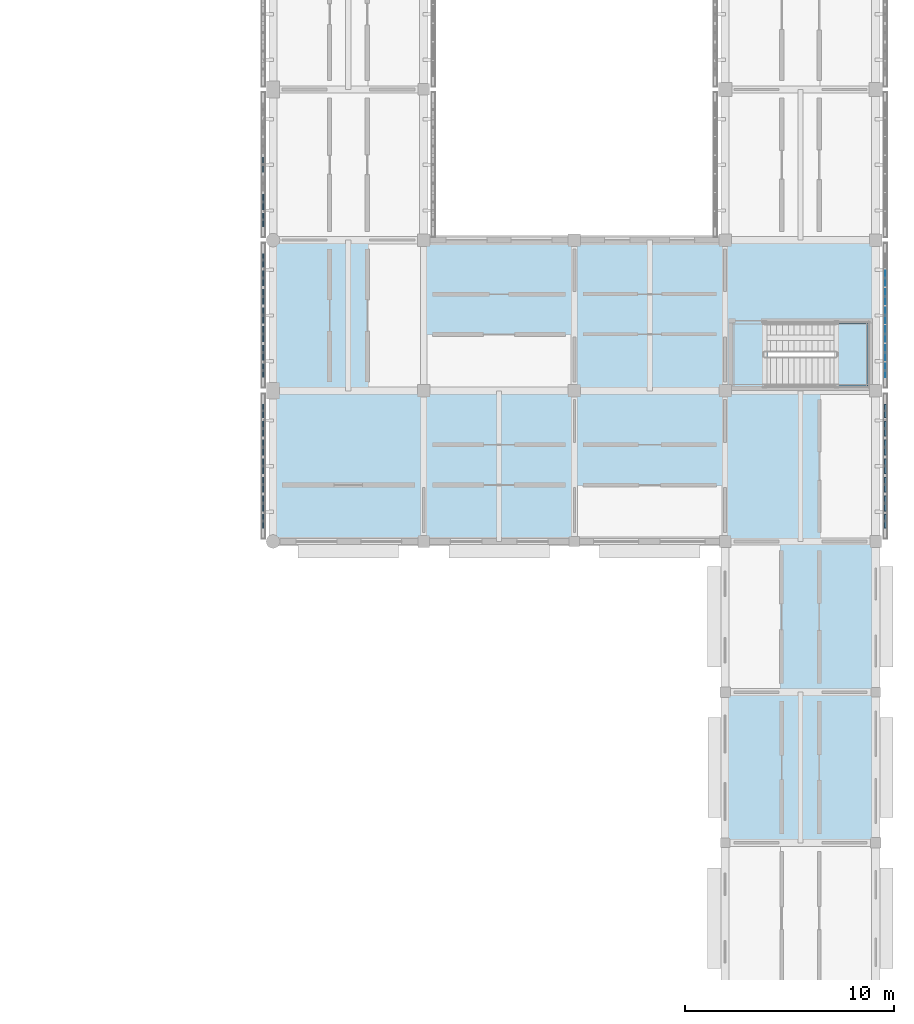
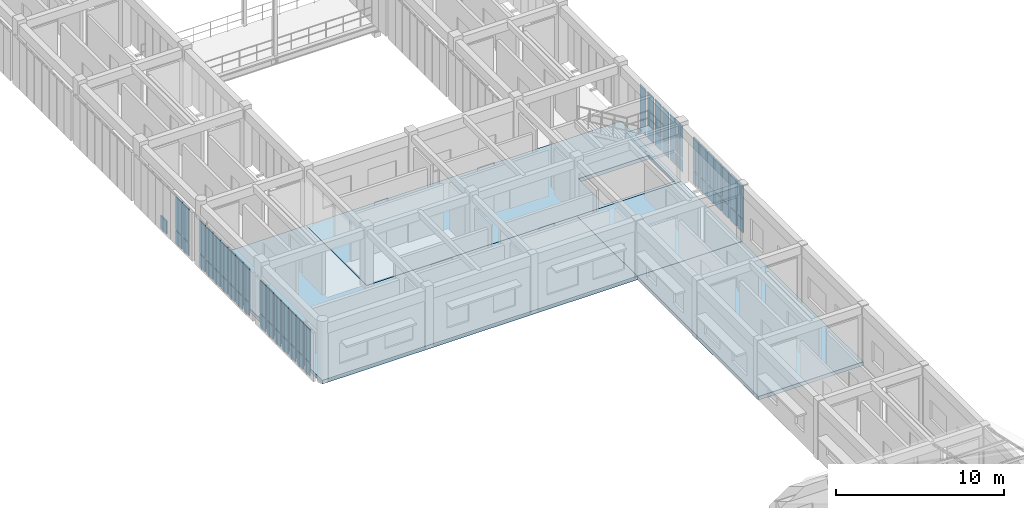
# One storey, part 107 of 171: 59 plates, 5 slabs, 6 elements without a shape of their own.
"""IFC4 building model written with IfcOpenShell, lengths in metres."""

from ifc_helpers import new_model, si_unit, direction, frame, origin, origin_2d, place, context, subcontext, project, spatial, polyline, rectangle, outline, extrude, material, layer, layer_set, type_object, element, aggregate, save


model = new_model("IFC4")

# Units and contexts
model_context = context("Model", 3, precision=1e-05, world=origin(), true_north=direction((0.0, 1.0)))
body_context = subcontext(model_context, "Body", "Model", "MODEL_VIEW")
ifc_project = project(units=[si_unit("LENGTHUNIT", "METRE"), si_unit("AREAUNIT", "SQUARE_METRE"), si_unit("VOLUMEUNIT", "CUBIC_METRE"), si_unit("PLANEANGLEUNIT", "RADIAN"), si_unit("MASSUNIT", "GRAM", prefix="KILO")], contexts=[model_context])

# Site, building, storey
site_placement = place(None, origin())
site = spatial("IfcSite", under=ifc_project, at=site_placement, CompositionType="ELEMENT")
building_placement = place(site_placement, origin())
building = spatial("IfcBuilding", under=site, at=building_placement, Name="Aldebral Square Health Centre", CompositionType="ELEMENT")
storey_placement = place(building_placement, frame((0.0, 0.0, 4.5)))
storey = spatial("IfcBuildingStorey", under=building, at=storey_placement, Name="L01", CompositionType="ELEMENT", Elevation=4.5)

# Curtain wall, plates
ifc_material_1 = material(Name="Aluminium and low-E solar glass", Category="aluminium")
curtain_wall_type = type_object("IfcCurtainWallType", Name="CW-FIN-SYS", PredefinedType="USERDEFINED", material=ifc_material_1)
curtain_wall_1_placement = place(storey_placement, origin())
curtain_wall_1 = element("IfcCurtainWall", 1, at=curtain_wall_1_placement, inside=storey, type_object=curtain_wall_type, Name="L01 V5 finned curtain wall L01-V5-22-08-E", ObjectType="SOLAR_CURTAIN_WALL", PredefinedType="USERDEFINED")
ifc_material_2 = material(Name="Solar-control low-E double glass", Category="glass")
ifc_layer_1 = layer(ifc_material_2, 0.02001953125, Name="Solar-control low-E double glass", Category="glass")
ifc_layer_set_1 = layer_set([ifc_layer_1], Name="Solar-control low-E double glass")
plate_type_1 = type_object("IfcPlateType", Name="CWP-GLZ-1", PredefinedType="CURTAIN_PANEL", material=ifc_layer_set_1)
plate_1_placement = place(storey_placement, frame((166.06005859375, 58.565673828125, 0.074951171875), z_axis=(0.0, 0.0, 1.0), x_axis=(0.0, 1.0, 0.0)))
plate_1 = element("IfcPlate", 2, at=plate_1_placement, type_object=plate_type_1, Name="CW1 panel 1.1", PredefinedType="CURTAIN_PANEL", context=body_context, shape_type="SweptSolid", body=[
    extrude(rectangle(XDim=0.6513671875, YDim=0.02001953125, at=origin_2d()), origin(), (0.0, 0.0, 1.0), 0.9375),
])
plate_2_placement = place(storey_placement, frame((166.06005859375, 58.565673828125, 1.087646484375), z_axis=(0.0, 0.0, 1.0), x_axis=(0.0, 1.0, 0.0)))
plate_2 = element("IfcPlate", 3, at=plate_2_placement, type_object=plate_type_1, Name="CW1 panel 1.2", PredefinedType="CURTAIN_PANEL", context=body_context, shape_type="SweptSolid", body=[
    extrude(rectangle(XDim=0.6513671875, YDim=0.02001953125, at=origin_2d()), origin(), (0.0, 0.0, 1.0), 2.357421875),
])
plate_3_placement = place(storey_placement, frame((166.06005859375, 59.417236328125, 0.074951171875), z_axis=(0.0, 0.0, 1.0), x_axis=(0.0, 1.0, 0.0)))
plate_3 = element("IfcPlate", 4, at=plate_3_placement, type_object=plate_type_1, Name="CW1 panel 2.1", PredefinedType="CURTAIN_PANEL", context=body_context, shape_type="SweptSolid", body=[
    extrude(rectangle(XDim=0.7314453125, YDim=0.02001953125, at=origin_2d()), origin(), (0.0, 0.0, 1.0), 0.9375),
])
plate_4_placement = place(storey_placement, frame((166.06005859375, 59.417236328125, 1.087646484375), z_axis=(0.0, 0.0, 1.0), x_axis=(0.0, 1.0, 0.0)))
plate_4 = element("IfcPlate", 5, at=plate_4_placement, type_object=plate_type_1, Name="CW1 panel 2.2", PredefinedType="CURTAIN_PANEL", context=body_context, shape_type="SweptSolid", body=[
    extrude(rectangle(XDim=0.7314453125, YDim=0.02001953125, at=origin_2d()), origin(), (0.0, 0.0, 1.0), 2.357421875),
])
plate_5_placement = place(storey_placement, frame((166.06005859375, 60.30859375, 0.074951171875), z_axis=(0.0, 0.0, 1.0), x_axis=(0.0, 1.0, 0.0)))
plate_5 = element("IfcPlate", 6, at=plate_5_placement, type_object=plate_type_1, Name="CW1 panel 3.1", PredefinedType="CURTAIN_PANEL", context=body_context, shape_type="SweptSolid", body=[
    extrude(rectangle(XDim=0.7314453125, YDim=0.02001953125, at=origin_2d()), origin(), (0.0, 0.0, 1.0), 0.9375),
])
plate_6_placement = place(storey_placement, frame((166.06005859375, 60.30859375, 1.087646484375), z_axis=(0.0, 0.0, 1.0), x_axis=(0.0, 1.0, 0.0)))
plate_6 = element("IfcPlate", 7, at=plate_6_placement, type_object=plate_type_1, Name="CW1 panel 3.2", PredefinedType="CURTAIN_PANEL", context=body_context, shape_type="SweptSolid", body=[
    extrude(rectangle(XDim=0.7314453125, YDim=0.02001953125, at=origin_2d()), origin(), (0.0, 0.0, 1.0), 2.357421875),
])
plate_7_placement = place(storey_placement, frame((166.06005859375, 61.199951171875, 0.074951171875), z_axis=(0.0, 0.0, 1.0), x_axis=(0.0, 1.0, 0.0)))
plate_7 = element("IfcPlate", 8, at=plate_7_placement, type_object=plate_type_1, Name="CW1 panel 4.1", PredefinedType="CURTAIN_PANEL", context=body_context, shape_type="SweptSolid", body=[
    extrude(rectangle(XDim=0.7314453125, YDim=0.02001953125, at=origin_2d()), origin(), (0.0, 0.0, 1.0), 0.9375),
])
plate_8_placement = place(storey_placement, frame((166.06005859375, 61.199951171875, 1.087646484375), z_axis=(0.0, 0.0, 1.0), x_axis=(0.0, 1.0, 0.0)))
plate_8 = element("IfcPlate", 9, at=plate_8_placement, type_object=plate_type_1, Name="CW1 panel 4.2", PredefinedType="CURTAIN_PANEL", context=body_context, shape_type="SweptSolid", body=[
    extrude(rectangle(XDim=0.7314453125, YDim=0.02001953125, at=origin_2d()), origin(), (0.0, 0.0, 1.0), 2.357421875),
])
plate_9_placement = place(storey_placement, frame((166.06005859375, 62.09130859375, 0.074951171875), z_axis=(0.0, 0.0, 1.0), x_axis=(0.0, 1.0, 0.0)))
plate_9 = element("IfcPlate", 10, at=plate_9_placement, type_object=plate_type_1, Name="CW1 panel 5.1", PredefinedType="CURTAIN_PANEL", context=body_context, shape_type="SweptSolid", body=[
    extrude(rectangle(XDim=0.7314453125, YDim=0.02001953125, at=origin_2d()), origin(), (0.0, 0.0, 1.0), 0.9375),
])
plate_10_placement = place(storey_placement, frame((166.06005859375, 62.09130859375, 1.087646484375), z_axis=(0.0, 0.0, 1.0), x_axis=(0.0, 1.0, 0.0)))
plate_10 = element("IfcPlate", 11, at=plate_10_placement, type_object=plate_type_1, Name="CW1 panel 5.2", PredefinedType="CURTAIN_PANEL", context=body_context, shape_type="SweptSolid", body=[
    extrude(rectangle(XDim=0.7314453125, YDim=0.02001953125, at=origin_2d()), origin(), (0.0, 0.0, 1.0), 2.357421875),
])
plate_11_placement = place(storey_placement, frame((166.06005859375, 62.98291015625, 0.074951171875), z_axis=(0.0, 0.0, 1.0), x_axis=(0.0, 1.0, 0.0)))
plate_11 = element("IfcPlate", 12, at=plate_11_placement, type_object=plate_type_1, Name="CW1 panel 6.1", PredefinedType="CURTAIN_PANEL", context=body_context, shape_type="SweptSolid", body=[
    extrude(rectangle(XDim=0.7314453125, YDim=0.02001953125, at=origin_2d()), origin(), (0.0, 0.0, 1.0), 0.9375),
])
plate_12_placement = place(storey_placement, frame((166.06005859375, 62.98291015625, 1.087646484375), z_axis=(0.0, 0.0, 1.0), x_axis=(0.0, 1.0, 0.0)))
plate_12 = element("IfcPlate", 13, at=plate_12_placement, type_object=plate_type_1, Name="CW1 panel 6.2", PredefinedType="CURTAIN_PANEL", context=body_context, shape_type="SweptSolid", body=[
    extrude(rectangle(XDim=0.7314453125, YDim=0.02001953125, at=origin_2d()), origin(), (0.0, 0.0, 1.0), 2.357421875),
])
aggregate(curtain_wall_1, [plate_1, plate_2, plate_3, plate_4, plate_5, plate_6, plate_7, plate_8, plate_9, plate_10, plate_11, plate_12])

curtain_wall_2_placement = place(storey_placement, origin())
curtain_wall_2 = element("IfcCurtainWall", 14, at=curtain_wall_2_placement, inside=storey, type_object=curtain_wall_type, Name="L01 V5 finned curtain wall L01-V5-19-07-W", ObjectType="SOLAR_CURTAIN_WALL", PredefinedType="USERDEFINED")
ifc_layer_2 = layer(ifc_material_2, 0.050048828125, Name="Solar-control low-E double glass", Category="glass")
ifc_layer_set_2 = layer_set([ifc_layer_2], Name="Solar-control low-E double glass")
plate_type_2 = type_object("IfcPlateType", Name="CWP-GLZ-4", PredefinedType="CURTAIN_PANEL", material=ifc_layer_set_2)
plate_13_placement = place(storey_placement, frame((136.340087890625, 56.63427734375, 0.074951171875), z_axis=(0.0, 0.0, 1.0), x_axis=(0.0, -1.0, 0.0)))
plate_13 = element("IfcPlate", 15, at=plate_13_placement, type_object=plate_type_2, Name="CW1 panel 1.1", PredefinedType="CURTAIN_PANEL", context=body_context, shape_type="SweptSolid", body=[
    extrude(rectangle(XDim=0.6513671875, YDim=0.050048828125, at=origin_2d()), origin(), (0.0, 0.0, 1.0), 0.9375),
])
plate_14_placement = place(storey_placement, frame((136.340087890625, 56.63427734375, 1.087646484375), z_axis=(0.0, 0.0, 1.0), x_axis=(0.0, -1.0, 0.0)))
plate_14 = element("IfcPlate", 16, at=plate_14_placement, type_object=plate_type_2, Name="CW1 panel 1.2", PredefinedType="CURTAIN_PANEL", context=body_context, shape_type="SweptSolid", body=[
    extrude(rectangle(XDim=0.6513671875, YDim=0.050048828125, at=origin_2d()), origin(), (0.0, 0.0, 1.0), 2.357421875),
])
plate_15_placement = place(storey_placement, frame((136.340087890625, 55.782958984375, 0.074951171875), z_axis=(0.0, 0.0, 1.0), x_axis=(0.0, -1.0, 0.0)))
plate_15 = element("IfcPlate", 17, at=plate_15_placement, type_object=plate_type_2, Name="CW1 panel 2.1", PredefinedType="CURTAIN_PANEL", context=body_context, shape_type="SweptSolid", body=[
    extrude(rectangle(XDim=0.7314453125, YDim=0.050048828125, at=origin_2d()), origin(), (0.0, 0.0, 1.0), 0.9375),
])
plate_16_placement = place(storey_placement, frame((136.340087890625, 55.782958984375, 1.087646484375), z_axis=(0.0, 0.0, 1.0), x_axis=(0.0, -1.0, 0.0)))
plate_16 = element("IfcPlate", 18, at=plate_16_placement, type_object=plate_type_2, Name="CW1 panel 2.2", PredefinedType="CURTAIN_PANEL", context=body_context, shape_type="SweptSolid", body=[
    extrude(rectangle(XDim=0.7314453125, YDim=0.050048828125, at=origin_2d()), origin(), (0.0, 0.0, 1.0), 2.357421875),
])
plate_17_placement = place(storey_placement, frame((136.340087890625, 54.891357421875, 0.074951171875), z_axis=(0.0, 0.0, 1.0), x_axis=(0.0, -1.0, 0.0)))
plate_17 = element("IfcPlate", 19, at=plate_17_placement, type_object=plate_type_2, Name="CW1 panel 3.1", PredefinedType="CURTAIN_PANEL", context=body_context, shape_type="SweptSolid", body=[
    extrude(rectangle(XDim=0.7314453125, YDim=0.050048828125, at=origin_2d()), origin(), (0.0, 0.0, 1.0), 0.9375),
])
plate_18_placement = place(storey_placement, frame((136.340087890625, 54.891357421875, 1.087646484375), z_axis=(0.0, 0.0, 1.0), x_axis=(0.0, -1.0, 0.0)))
plate_18 = element("IfcPlate", 20, at=plate_18_placement, type_object=plate_type_2, Name="CW1 panel 3.2", PredefinedType="CURTAIN_PANEL", context=body_context, shape_type="SweptSolid", body=[
    extrude(rectangle(XDim=0.7314453125, YDim=0.050048828125, at=origin_2d()), origin(), (0.0, 0.0, 1.0), 2.357421875),
])
plate_19_placement = place(storey_placement, frame((136.340087890625, 54.0, 0.074951171875), z_axis=(0.0, 0.0, 1.0), x_axis=(0.0, -1.0, 0.0)))
plate_19 = element("IfcPlate", 21, at=plate_19_placement, type_object=plate_type_2, Name="CW1 panel 4.1", PredefinedType="CURTAIN_PANEL", context=body_context, shape_type="SweptSolid", body=[
    extrude(rectangle(XDim=0.7314453125, YDim=0.050048828125, at=origin_2d()), origin(), (0.0, 0.0, 1.0), 0.9375),
])
plate_20_placement = place(storey_placement, frame((136.340087890625, 54.0, 1.087646484375), z_axis=(0.0, 0.0, 1.0), x_axis=(0.0, -1.0, 0.0)))
plate_20 = element("IfcPlate", 22, at=plate_20_placement, type_object=plate_type_2, Name="CW1 panel 4.2", PredefinedType="CURTAIN_PANEL", context=body_context, shape_type="SweptSolid", body=[
    extrude(rectangle(XDim=0.7314453125, YDim=0.050048828125, at=origin_2d()), origin(), (0.0, 0.0, 1.0), 2.357421875),
])
plate_21_placement = place(storey_placement, frame((136.340087890625, 53.108642578125, 0.074951171875), z_axis=(0.0, 0.0, 1.0), x_axis=(0.0, -1.0, 0.0)))
plate_21 = element("IfcPlate", 23, at=plate_21_placement, type_object=plate_type_2, Name="CW1 panel 5.1", PredefinedType="CURTAIN_PANEL", context=body_context, shape_type="SweptSolid", body=[
    extrude(rectangle(XDim=0.7314453125, YDim=0.050048828125, at=origin_2d()), origin(), (0.0, 0.0, 1.0), 0.9375),
])
plate_22_placement = place(storey_placement, frame((136.340087890625, 53.108642578125, 1.087646484375), z_axis=(0.0, 0.0, 1.0), x_axis=(0.0, -1.0, 0.0)))
plate_22 = element("IfcPlate", 24, at=plate_22_placement, type_object=plate_type_2, Name="CW1 panel 5.2", PredefinedType="CURTAIN_PANEL", context=body_context, shape_type="SweptSolid", body=[
    extrude(rectangle(XDim=0.7314453125, YDim=0.050048828125, at=origin_2d()), origin(), (0.0, 0.0, 1.0), 2.357421875),
])
plate_23_placement = place(storey_placement, frame((136.340087890625, 52.217041015625, 0.074951171875), z_axis=(0.0, 0.0, 1.0), x_axis=(0.0, -1.0, 0.0)))
plate_23 = element("IfcPlate", 25, at=plate_23_placement, type_object=plate_type_2, Name="CW1 panel 6.1", PredefinedType="CURTAIN_PANEL", context=body_context, shape_type="SweptSolid", body=[
    extrude(rectangle(XDim=0.7314453125, YDim=0.050048828125, at=origin_2d()), origin(), (0.0, 0.0, 1.0), 0.9375),
])
plate_24_placement = place(storey_placement, frame((136.340087890625, 52.217041015625, 1.087646484375), z_axis=(0.0, 0.0, 1.0), x_axis=(0.0, -1.0, 0.0)))
plate_24 = element("IfcPlate", 26, at=plate_24_placement, type_object=plate_type_2, Name="CW1 panel 6.2", PredefinedType="CURTAIN_PANEL", context=body_context, shape_type="SweptSolid", body=[
    extrude(rectangle(XDim=0.7314453125, YDim=0.050048828125, at=origin_2d()), origin(), (0.0, 0.0, 1.0), 2.357421875),
])
plate_25_placement = place(storey_placement, frame((136.340087890625, 51.36572265625, 0.074951171875), z_axis=(0.0, 0.0, 1.0), x_axis=(0.0, -1.0, 0.0)))
plate_25 = element("IfcPlate", 27, at=plate_25_placement, type_object=plate_type_2, Name="CW1 panel 7.1", PredefinedType="CURTAIN_PANEL", context=body_context, shape_type="SweptSolid", body=[
    extrude(rectangle(XDim=0.6513671875, YDim=0.050048828125, at=origin_2d()), origin(), (0.0, 0.0, 1.0), 0.9375),
])
plate_26_placement = place(storey_placement, frame((136.340087890625, 51.36572265625, 1.087646484375), z_axis=(0.0, 0.0, 1.0), x_axis=(0.0, -1.0, 0.0)))
plate_26 = element("IfcPlate", 28, at=plate_26_placement, type_object=plate_type_2, Name="CW1 panel 7.2", PredefinedType="CURTAIN_PANEL", context=body_context, shape_type="SweptSolid", body=[
    extrude(rectangle(XDim=0.6513671875, YDim=0.050048828125, at=origin_2d()), origin(), (0.0, 0.0, 1.0), 2.357421875),
])
aggregate(curtain_wall_2, [plate_13, plate_14, plate_15, plate_16, plate_17, plate_18, plate_19, plate_20, plate_21, plate_22, plate_23, plate_24, plate_25, plate_26])

curtain_wall_3_placement = place(storey_placement, origin())
curtain_wall_3 = element("IfcCurtainWall", 29, at=curtain_wall_3_placement, inside=storey, type_object=curtain_wall_type, Name="L01 V5 finned curtain wall L01-V5-19-08-W", ObjectType="SOLAR_CURTAIN_WALL", PredefinedType="USERDEFINED")
ifc_layer_3 = layer(ifc_material_2, 0.06005859375, Name="Solar-control low-E double glass", Category="glass")
ifc_layer_set_3 = layer_set([ifc_layer_3], Name="Solar-control low-E double glass")
plate_type_3 = type_object("IfcPlateType", Name="CWP-GLZ-5", PredefinedType="CURTAIN_PANEL", material=ifc_layer_set_3)
plate_27_placement = place(storey_placement, frame((136.340087890625, 63.834228515625, 0.074951171875), z_axis=(0.0, 0.0, 1.0), x_axis=(0.0, -1.0, 0.0)))
plate_27 = element("IfcPlate", 30, at=plate_27_placement, type_object=plate_type_3, Name="CW1 panel 1.1", PredefinedType="CURTAIN_PANEL", context=body_context, shape_type="SweptSolid", body=[
    extrude(rectangle(XDim=0.6513671875, YDim=0.06005859375, at=origin_2d()), origin(), (0.0, 0.0, 1.0), 0.9375),
])
plate_28_placement = place(storey_placement, frame((136.340087890625, 63.834228515625, 1.087646484375), z_axis=(0.0, 0.0, 1.0), x_axis=(0.0, -1.0, 0.0)))
plate_28 = element("IfcPlate", 31, at=plate_28_placement, type_object=plate_type_3, Name="CW1 panel 1.2", PredefinedType="CURTAIN_PANEL", context=body_context, shape_type="SweptSolid", body=[
    extrude(rectangle(XDim=0.6513671875, YDim=0.06005859375, at=origin_2d()), origin(), (0.0, 0.0, 1.0), 2.357421875),
])
plate_29_placement = place(storey_placement, frame((136.340087890625, 62.98291015625, 0.074951171875), z_axis=(0.0, 0.0, 1.0), x_axis=(0.0, -1.0, 0.0)))
plate_29 = element("IfcPlate", 32, at=plate_29_placement, type_object=plate_type_3, Name="CW1 panel 2.1", PredefinedType="CURTAIN_PANEL", context=body_context, shape_type="SweptSolid", body=[
    extrude(rectangle(XDim=0.7314453125, YDim=0.06005859375, at=origin_2d()), origin(), (0.0, 0.0, 1.0), 0.9375),
])
plate_30_placement = place(storey_placement, frame((136.340087890625, 62.98291015625, 1.087646484375), z_axis=(0.0, 0.0, 1.0), x_axis=(0.0, -1.0, 0.0)))
plate_30 = element("IfcPlate", 33, at=plate_30_placement, type_object=plate_type_3, Name="CW1 panel 2.2", PredefinedType="CURTAIN_PANEL", context=body_context, shape_type="SweptSolid", body=[
    extrude(rectangle(XDim=0.7314453125, YDim=0.06005859375, at=origin_2d()), origin(), (0.0, 0.0, 1.0), 2.357421875),
])
plate_31_placement = place(storey_placement, frame((136.340087890625, 62.09130859375, 0.074951171875), z_axis=(0.0, 0.0, 1.0), x_axis=(0.0, -1.0, 0.0)))
plate_31 = element("IfcPlate", 34, at=plate_31_placement, type_object=plate_type_3, Name="CW1 panel 3.1", PredefinedType="CURTAIN_PANEL", context=body_context, shape_type="SweptSolid", body=[
    extrude(rectangle(XDim=0.7314453125, YDim=0.06005859375, at=origin_2d()), origin(), (0.0, 0.0, 1.0), 0.9375),
])
plate_32_placement = place(storey_placement, frame((136.340087890625, 62.09130859375, 1.087646484375), z_axis=(0.0, 0.0, 1.0), x_axis=(0.0, -1.0, 0.0)))
plate_32 = element("IfcPlate", 35, at=plate_32_placement, type_object=plate_type_3, Name="CW1 panel 3.2", PredefinedType="CURTAIN_PANEL", context=body_context, shape_type="SweptSolid", body=[
    extrude(rectangle(XDim=0.7314453125, YDim=0.06005859375, at=origin_2d()), origin(), (0.0, 0.0, 1.0), 2.357421875),
])
plate_33_placement = place(storey_placement, frame((136.340087890625, 61.199951171875, 0.074951171875), z_axis=(0.0, 0.0, 1.0), x_axis=(0.0, -1.0, 0.0)))
plate_33 = element("IfcPlate", 36, at=plate_33_placement, type_object=plate_type_3, Name="CW1 panel 4.1", PredefinedType="CURTAIN_PANEL", context=body_context, shape_type="SweptSolid", body=[
    extrude(rectangle(XDim=0.7314453125, YDim=0.06005859375, at=origin_2d()), origin(), (0.0, 0.0, 1.0), 0.9375),
])
plate_34_placement = place(storey_placement, frame((136.340087890625, 61.199951171875, 1.087646484375), z_axis=(0.0, 0.0, 1.0), x_axis=(0.0, -1.0, 0.0)))
plate_34 = element("IfcPlate", 37, at=plate_34_placement, type_object=plate_type_3, Name="CW1 panel 4.2", PredefinedType="CURTAIN_PANEL", context=body_context, shape_type="SweptSolid", body=[
    extrude(rectangle(XDim=0.7314453125, YDim=0.06005859375, at=origin_2d()), origin(), (0.0, 0.0, 1.0), 2.357421875),
])
plate_35_placement = place(storey_placement, frame((136.340087890625, 60.30859375, 0.074951171875), z_axis=(0.0, 0.0, 1.0), x_axis=(0.0, -1.0, 0.0)))
plate_35 = element("IfcPlate", 38, at=plate_35_placement, type_object=plate_type_3, Name="CW1 panel 5.1", PredefinedType="CURTAIN_PANEL", context=body_context, shape_type="SweptSolid", body=[
    extrude(rectangle(XDim=0.7314453125, YDim=0.06005859375, at=origin_2d()), origin(), (0.0, 0.0, 1.0), 0.9375),
])
plate_36_placement = place(storey_placement, frame((136.340087890625, 60.30859375, 1.087646484375), z_axis=(0.0, 0.0, 1.0), x_axis=(0.0, -1.0, 0.0)))
plate_36 = element("IfcPlate", 39, at=plate_36_placement, type_object=plate_type_3, Name="CW1 panel 5.2", PredefinedType="CURTAIN_PANEL", context=body_context, shape_type="SweptSolid", body=[
    extrude(rectangle(XDim=0.7314453125, YDim=0.06005859375, at=origin_2d()), origin(), (0.0, 0.0, 1.0), 2.357421875),
])
plate_37_placement = place(storey_placement, frame((136.340087890625, 59.417236328125, 0.074951171875), z_axis=(0.0, 0.0, 1.0), x_axis=(0.0, -1.0, 0.0)))
plate_37 = element("IfcPlate", 40, at=plate_37_placement, type_object=plate_type_3, Name="CW1 panel 6.1", PredefinedType="CURTAIN_PANEL", context=body_context, shape_type="SweptSolid", body=[
    extrude(rectangle(XDim=0.7314453125, YDim=0.06005859375, at=origin_2d()), origin(), (0.0, 0.0, 1.0), 0.9375),
])
plate_38_placement = place(storey_placement, frame((136.340087890625, 59.417236328125, 1.087646484375), z_axis=(0.0, 0.0, 1.0), x_axis=(0.0, -1.0, 0.0)))
plate_38 = element("IfcPlate", 41, at=plate_38_placement, type_object=plate_type_3, Name="CW1 panel 6.2", PredefinedType="CURTAIN_PANEL", context=body_context, shape_type="SweptSolid", body=[
    extrude(rectangle(XDim=0.7314453125, YDim=0.06005859375, at=origin_2d()), origin(), (0.0, 0.0, 1.0), 2.357421875),
])
plate_39_placement = place(storey_placement, frame((136.340087890625, 58.565673828125, 0.074951171875), z_axis=(0.0, 0.0, 1.0), x_axis=(0.0, -1.0, 0.0)))
plate_39 = element("IfcPlate", 42, at=plate_39_placement, type_object=plate_type_3, Name="CW1 panel 7.1", PredefinedType="CURTAIN_PANEL", context=body_context, shape_type="SweptSolid", body=[
    extrude(rectangle(XDim=0.6513671875, YDim=0.06005859375, at=origin_2d()), origin(), (0.0, 0.0, 1.0), 0.9375),
])
plate_40_placement = place(storey_placement, frame((136.340087890625, 58.565673828125, 1.087646484375), z_axis=(0.0, 0.0, 1.0), x_axis=(0.0, -1.0, 0.0)))
plate_40 = element("IfcPlate", 43, at=plate_40_placement, type_object=plate_type_3, Name="CW1 panel 7.2", PredefinedType="CURTAIN_PANEL", context=body_context, shape_type="SweptSolid", body=[
    extrude(rectangle(XDim=0.6513671875, YDim=0.06005859375, at=origin_2d()), origin(), (0.0, 0.0, 1.0), 2.357421875),
])
aggregate(curtain_wall_3, [plate_27, plate_28, plate_29, plate_30, plate_31, plate_32, plate_33, plate_34, plate_35, plate_36, plate_37, plate_38, plate_39, plate_40])

curtain_wall_4_placement = place(storey_placement, origin())
curtain_wall_4 = element("IfcCurtainWall", 44, at=curtain_wall_4_placement, inside=storey, type_object=curtain_wall_type, Name="L01 V5 finned curtain wall L01-V5-19-09-W", ObjectType="SOLAR_CURTAIN_WALL", PredefinedType="USERDEFINED")
ifc_layer_4 = layer(ifc_material_2, 0.070068359375, Name="Solar-control low-E double glass", Category="glass")
ifc_layer_set_4 = layer_set([ifc_layer_4], Name="Solar-control low-E double glass")
plate_type_4 = type_object("IfcPlateType", Name="CWP-GLZ-6", PredefinedType="CURTAIN_PANEL", material=ifc_layer_set_4)
plate_41_placement = place(storey_placement, frame((136.340087890625, 68.39990234375, 0.074951171875), z_axis=(0.0, 0.0, 1.0), x_axis=(0.0, -1.0, 0.0)))
plate_41 = element("IfcPlate", 45, at=plate_41_placement, type_object=plate_type_4, Name="CW1 panel 4.1", PredefinedType="CURTAIN_PANEL", context=body_context, shape_type="SweptSolid", body=[
    extrude(rectangle(XDim=0.7314453125, YDim=0.070068359375, at=origin_2d()), origin(), (0.0, 0.0, 1.0), 0.9375),
])
plate_42_placement = place(storey_placement, frame((136.340087890625, 66.6171875, 0.074951171875), z_axis=(0.0, 0.0, 1.0), x_axis=(0.0, -1.0, 0.0)))
plate_42 = element("IfcPlate", 46, at=plate_42_placement, type_object=plate_type_4, Name="CW1 panel 6.1", PredefinedType="CURTAIN_PANEL", context=body_context, shape_type="SweptSolid", body=[
    extrude(rectangle(XDim=0.7314453125, YDim=0.070068359375, at=origin_2d()), origin(), (0.0, 0.0, 1.0), 0.9375),
])
plate_43_placement = place(storey_placement, frame((136.340087890625, 66.6171875, 1.087646484375), z_axis=(0.0, 0.0, 1.0), x_axis=(0.0, -1.0, 0.0)))
plate_43 = element("IfcPlate", 47, at=plate_43_placement, type_object=plate_type_4, Name="CW1 panel 6.2", PredefinedType="CURTAIN_PANEL", context=body_context, shape_type="SweptSolid", body=[
    extrude(rectangle(XDim=0.7314453125, YDim=0.070068359375, at=origin_2d()), origin(), (0.0, 0.0, 1.0), 2.357421875),
])
plate_44_placement = place(storey_placement, frame((136.340087890625, 65.765625, 0.074951171875), z_axis=(0.0, 0.0, 1.0), x_axis=(0.0, -1.0, 0.0)))
plate_44 = element("IfcPlate", 48, at=plate_44_placement, type_object=plate_type_4, Name="CW1 panel 7.1", PredefinedType="CURTAIN_PANEL", context=body_context, shape_type="SweptSolid", body=[
    extrude(rectangle(XDim=0.6513671875, YDim=0.070068359375, at=origin_2d()), origin(), (0.0, 0.0, 1.0), 0.9375),
])
plate_45_placement = place(storey_placement, frame((136.340087890625, 65.765625, 1.087646484375), z_axis=(0.0, 0.0, 1.0), x_axis=(0.0, -1.0, 0.0)))
plate_45 = element("IfcPlate", 49, at=plate_45_placement, type_object=plate_type_4, Name="CW1 panel 7.2", PredefinedType="CURTAIN_PANEL", context=body_context, shape_type="SweptSolid", body=[
    extrude(rectangle(XDim=0.6513671875, YDim=0.070068359375, at=origin_2d()), origin(), (0.0, 0.0, 1.0), 2.357421875),
])
aggregate(curtain_wall_4, [plate_41, plate_42, plate_43, plate_44, plate_45])

curtain_wall_5_placement = place(storey_placement, origin())
curtain_wall_5 = element("IfcCurtainWall", 50, at=curtain_wall_5_placement, inside=storey, type_object=curtain_wall_type, Name="L01 V5 finned curtain wall L01-V5-22-07-E", ObjectType="SOLAR_CURTAIN_WALL", PredefinedType="USERDEFINED")
ifc_layer_5 = layer(ifc_material_2, 0.090087890625, Name="Solar-control low-E double glass", Category="glass")
ifc_layer_set_5 = layer_set([ifc_layer_5], Name="Solar-control low-E double glass")
plate_type_5 = type_object("IfcPlateType", Name="CWP-GLZ-8", PredefinedType="CURTAIN_PANEL", material=ifc_layer_set_5)
plate_46_placement = place(storey_placement, frame((166.06005859375, 51.36572265625, 0.074951171875), z_axis=(0.0, 0.0, 1.0), x_axis=(0.0, 1.0, 0.0)))
plate_46 = element("IfcPlate", 51, at=plate_46_placement, type_object=plate_type_5, Name="CW1 panel 1.1", PredefinedType="CURTAIN_PANEL", context=body_context, shape_type="SweptSolid", body=[
    extrude(rectangle(XDim=0.6513671875, YDim=0.090087890625, at=origin_2d()), origin(), (0.0, 0.0, 1.0), 0.9375),
])
plate_47_placement = place(storey_placement, frame((166.06005859375, 51.36572265625, 1.087646484375), z_axis=(0.0, 0.0, 1.0), x_axis=(0.0, 1.0, 0.0)))
plate_47 = element("IfcPlate", 52, at=plate_47_placement, type_object=plate_type_5, Name="CW1 panel 1.2", PredefinedType="CURTAIN_PANEL", context=body_context, shape_type="SweptSolid", body=[
    extrude(rectangle(XDim=0.6513671875, YDim=0.090087890625, at=origin_2d()), origin(), (0.0, 0.0, 1.0), 2.357421875),
])
plate_48_placement = place(storey_placement, frame((166.06005859375, 52.217041015625, 0.074951171875), z_axis=(0.0, 0.0, 1.0), x_axis=(0.0, 1.0, 0.0)))
plate_48 = element("IfcPlate", 53, at=plate_48_placement, type_object=plate_type_5, Name="CW1 panel 2.1", PredefinedType="CURTAIN_PANEL", context=body_context, shape_type="SweptSolid", body=[
    extrude(rectangle(XDim=0.7314453125, YDim=0.090087890625, at=origin_2d()), origin(), (0.0, 0.0, 1.0), 0.9375),
])
plate_49_placement = place(storey_placement, frame((166.06005859375, 52.217041015625, 1.087646484375), z_axis=(0.0, 0.0, 1.0), x_axis=(0.0, 1.0, 0.0)))
plate_49 = element("IfcPlate", 54, at=plate_49_placement, type_object=plate_type_5, Name="CW1 panel 2.2", PredefinedType="CURTAIN_PANEL", context=body_context, shape_type="SweptSolid", body=[
    extrude(rectangle(XDim=0.7314453125, YDim=0.090087890625, at=origin_2d()), origin(), (0.0, 0.0, 1.0), 2.357421875),
])
plate_50_placement = place(storey_placement, frame((166.06005859375, 53.108642578125, 0.074951171875), z_axis=(0.0, 0.0, 1.0), x_axis=(0.0, 1.0, 0.0)))
plate_50 = element("IfcPlate", 55, at=plate_50_placement, type_object=plate_type_5, Name="CW1 panel 3.1", PredefinedType="CURTAIN_PANEL", context=body_context, shape_type="SweptSolid", body=[
    extrude(rectangle(XDim=0.7314453125, YDim=0.090087890625, at=origin_2d()), origin(), (0.0, 0.0, 1.0), 0.9375),
])
plate_51_placement = place(storey_placement, frame((166.06005859375, 53.108642578125, 1.087646484375), z_axis=(0.0, 0.0, 1.0), x_axis=(0.0, 1.0, 0.0)))
plate_51 = element("IfcPlate", 56, at=plate_51_placement, type_object=plate_type_5, Name="CW1 panel 3.2", PredefinedType="CURTAIN_PANEL", context=body_context, shape_type="SweptSolid", body=[
    extrude(rectangle(XDim=0.7314453125, YDim=0.090087890625, at=origin_2d()), origin(), (0.0, 0.0, 1.0), 2.357421875),
])
plate_52_placement = place(storey_placement, frame((166.06005859375, 54.0, 0.074951171875), z_axis=(0.0, 0.0, 1.0), x_axis=(0.0, 1.0, 0.0)))
plate_52 = element("IfcPlate", 57, at=plate_52_placement, type_object=plate_type_5, Name="CW1 panel 4.1", PredefinedType="CURTAIN_PANEL", context=body_context, shape_type="SweptSolid", body=[
    extrude(rectangle(XDim=0.7314453125, YDim=0.090087890625, at=origin_2d()), origin(), (0.0, 0.0, 1.0), 0.9375),
])
plate_53_placement = place(storey_placement, frame((166.06005859375, 54.0, 1.087646484375), z_axis=(0.0, 0.0, 1.0), x_axis=(0.0, 1.0, 0.0)))
plate_53 = element("IfcPlate", 58, at=plate_53_placement, type_object=plate_type_5, Name="CW1 panel 4.2", PredefinedType="CURTAIN_PANEL", context=body_context, shape_type="SweptSolid", body=[
    extrude(rectangle(XDim=0.7314453125, YDim=0.090087890625, at=origin_2d()), origin(), (0.0, 0.0, 1.0), 2.357421875),
])
plate_54_placement = place(storey_placement, frame((166.06005859375, 54.891357421875, 0.074951171875), z_axis=(0.0, 0.0, 1.0), x_axis=(0.0, 1.0, 0.0)))
plate_54 = element("IfcPlate", 59, at=plate_54_placement, type_object=plate_type_5, Name="CW1 panel 5.1", PredefinedType="CURTAIN_PANEL", context=body_context, shape_type="SweptSolid", body=[
    extrude(rectangle(XDim=0.7314453125, YDim=0.090087890625, at=origin_2d()), origin(), (0.0, 0.0, 1.0), 0.9375),
])
plate_55_placement = place(storey_placement, frame((166.06005859375, 54.891357421875, 1.087646484375), z_axis=(0.0, 0.0, 1.0), x_axis=(0.0, 1.0, 0.0)))
plate_55 = element("IfcPlate", 60, at=plate_55_placement, type_object=plate_type_5, Name="CW1 panel 5.2", PredefinedType="CURTAIN_PANEL", context=body_context, shape_type="SweptSolid", body=[
    extrude(rectangle(XDim=0.7314453125, YDim=0.090087890625, at=origin_2d()), origin(), (0.0, 0.0, 1.0), 2.357421875),
])
plate_56_placement = place(storey_placement, frame((166.06005859375, 55.782958984375, 0.074951171875), z_axis=(0.0, 0.0, 1.0), x_axis=(0.0, 1.0, 0.0)))
plate_56 = element("IfcPlate", 61, at=plate_56_placement, type_object=plate_type_5, Name="CW1 panel 6.1", PredefinedType="CURTAIN_PANEL", context=body_context, shape_type="SweptSolid", body=[
    extrude(rectangle(XDim=0.7314453125, YDim=0.090087890625, at=origin_2d()), origin(), (0.0, 0.0, 1.0), 0.9375),
])
plate_57_placement = place(storey_placement, frame((166.06005859375, 55.782958984375, 1.087646484375), z_axis=(0.0, 0.0, 1.0), x_axis=(0.0, 1.0, 0.0)))
plate_57 = element("IfcPlate", 62, at=plate_57_placement, type_object=plate_type_5, Name="CW1 panel 6.2", PredefinedType="CURTAIN_PANEL", context=body_context, shape_type="SweptSolid", body=[
    extrude(rectangle(XDim=0.7314453125, YDim=0.090087890625, at=origin_2d()), origin(), (0.0, 0.0, 1.0), 2.357421875),
])
plate_58_placement = place(storey_placement, frame((166.06005859375, 56.63427734375, 0.074951171875), z_axis=(0.0, 0.0, 1.0), x_axis=(0.0, 1.0, 0.0)))
plate_58 = element("IfcPlate", 63, at=plate_58_placement, type_object=plate_type_5, Name="CW1 panel 7.1", PredefinedType="CURTAIN_PANEL", context=body_context, shape_type="SweptSolid", body=[
    extrude(rectangle(XDim=0.6513671875, YDim=0.090087890625, at=origin_2d()), origin(), (0.0, 0.0, 1.0), 0.9375),
])
plate_59_placement = place(storey_placement, frame((166.06005859375, 56.63427734375, 1.087646484375), z_axis=(0.0, 0.0, 1.0), x_axis=(0.0, 1.0, 0.0)))
plate_59 = element("IfcPlate", 64, at=plate_59_placement, type_object=plate_type_5, Name="CW1 panel 7.2", PredefinedType="CURTAIN_PANEL", context=body_context, shape_type="SweptSolid", body=[
    extrude(rectangle(XDim=0.6513671875, YDim=0.090087890625, at=origin_2d()), origin(), (0.0, 0.0, 1.0), 2.357421875),
])
aggregate(curtain_wall_5, [plate_46, plate_47, plate_48, plate_49, plate_50, plate_51, plate_52, plate_53, plate_54, plate_55, plate_56, plate_57, plate_58, plate_59])

# Slabs
ifc_material_3 = material(Name="Concrete C35/45", Category="concrete")
ifc_layer_6 = layer(ifc_material_3, 0.260009765625, Name="Concrete C35/45", Category="concrete")
ifc_layer_set_6 = layer_set([ifc_layer_6], Name="Concrete C35/45")
slab_type_1 = type_object("IfcSlabType", Name="SL-FLR-260", PredefinedType="FLOOR", material=ifc_layer_set_6)
slab_1_placement = place(storey_placement, frame((0.0, 0.0, -0.260009765625)))
element("IfcSlab", 65, at=slab_1_placement, inside=storey, type_object=slab_type_1, Name="L01 V3 floor slab 5", PredefinedType="FLOOR", context=body_context, shape_type="SweptSolid", body=[
    extrude(outline(polyline([(158.39990234375, 36.0), (158.39990234375, 43.199951171875), (158.39990234375, 50.39990234375), (165.60009765625, 50.39990234375), (165.60009765625, 43.199951171875), (165.60009765625, 36.0), (158.39990234375, 36.0)])), origin(), (0.0, 0.0, 1.0), 0.260009765625),
])
ifc_layer_7 = layer(ifc_material_3, 0.27001953125, Name="Concrete C35/45", Category="concrete")
ifc_layer_set_7 = layer_set([ifc_layer_7], Name="Concrete C35/45")
slab_type_2 = type_object("IfcSlabType", Name="SL-FLR-270", PredefinedType="FLOOR", material=ifc_layer_set_7)
slab_2_placement = place(storey_placement, frame((0.0, 0.0, -0.27001953125)))
element("IfcSlab", 66, at=slab_2_placement, inside=storey, type_object=slab_type_2, Name="L01 V5 floor slab 4", PredefinedType="FLOOR", context=body_context, shape_type="SweptSolid", body=[
    extrude(outline(polyline([(136.800048828125, 64.800048828125), (144.0, 64.800048828125), (144.0, 57.60009765625), (151.199951171875, 57.60009765625), (158.39990234375, 57.60009765625), (158.39990234375, 50.39990234375), (151.199951171875, 50.39990234375), (144.0, 50.39990234375), (136.800048828125, 50.39990234375), (136.800048828125, 57.60009765625), (136.800048828125, 64.800048828125)])), origin(), (0.0, 0.0, 1.0), 0.27001953125),
])
slab_3_placement = place(storey_placement, frame((0.0, 0.0, -0.27001953125)))
element("IfcSlab", 67, at=slab_3_placement, inside=storey, type_object=slab_type_2, Name="L01 V5 floor slab 8", PredefinedType="FLOOR", context=body_context, shape_type="SweptSolid", body=[
    extrude(outline(polyline([(144.0, 64.800048828125), (151.199951171875, 64.800048828125), (158.39990234375, 64.800048828125), (165.60009765625, 64.800048828125), (165.60009765625, 57.60009765625), (158.39990234375, 57.60009765625), (151.199951171875, 57.60009765625), (144.0, 57.60009765625), (144.0, 64.800048828125)]), holes=[polyline([(165.260009765625, 60.8798828125), (160.419921875, 60.8798828125), (160.419921875, 57.800048828125), (165.260009765625, 57.800048828125), (165.260009765625, 60.8798828125)])]), origin(), (0.0, 0.0, 1.0), 0.27001953125),
])
slab_4_placement = place(storey_placement, frame((0.0, 0.0, -0.27001953125)))
element("IfcSlab", 68, at=slab_4_placement, inside=storey, type_object=slab_type_2, Name="L01 V5 floor slab 10", PredefinedType="FLOOR", context=body_context, shape_type="SweptSolid", body=[
    extrude(outline(polyline([(158.39990234375, 50.39990234375), (158.39990234375, 57.60009765625), (165.60009765625, 57.60009765625), (165.60009765625, 50.39990234375), (158.39990234375, 50.39990234375)])), origin(), (0.0, 0.0, 1.0), 0.27001953125),
])

# Stair, slab
stair_type = type_object("IfcStairType", Name="ST-DOG-140", PredefinedType="HALF_TURN_STAIR", material=ifc_material_3)
stair_placement = place(storey_placement, origin())
stair = element("IfcStair", 69, at=stair_placement, inside=storey, type_object=stair_type, Name="L01 ST-09", PredefinedType="HALF_TURN_STAIR")
ifc_layer_8 = layer(ifc_material_3, 0.199951171875, Name="Concrete C35/45", Category="concrete")
ifc_layer_set_8 = layer_set([ifc_layer_8], Name="Concrete C35/45")
slab_type_3 = type_object("IfcSlabType", Name="SL-LND-200", PredefinedType="LANDING", material=ifc_layer_set_8)
slab_5_placement = place(storey_placement, frame((0.0, 0.0, 2.050048828125)))
slab_5 = element("IfcSlab", 70, at=slab_5_placement, type_object=slab_type_3, Name="ST-09 landing 1", PredefinedType="LANDING", context=body_context, shape_type="SweptSolid", body=[
    extrude(outline(polyline([(163.699951171875, 57.840087890625), (165.219970703125, 57.840087890625), (165.219970703125, 60.840087890625), (163.699951171875, 60.840087890625), (163.699951171875, 57.840087890625)])), origin(), (0.0, 0.0, 1.0), 0.199951171875),
])
aggregate(stair, [slab_5])

save(model, "model.ifc")
